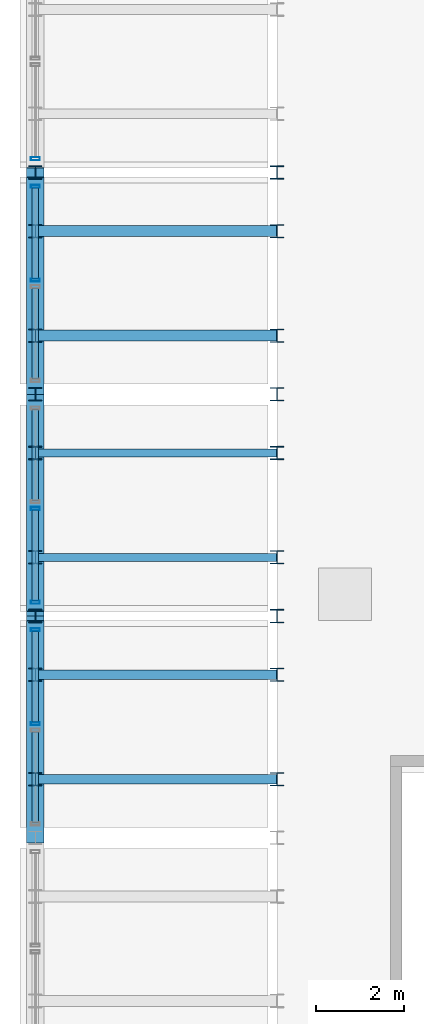
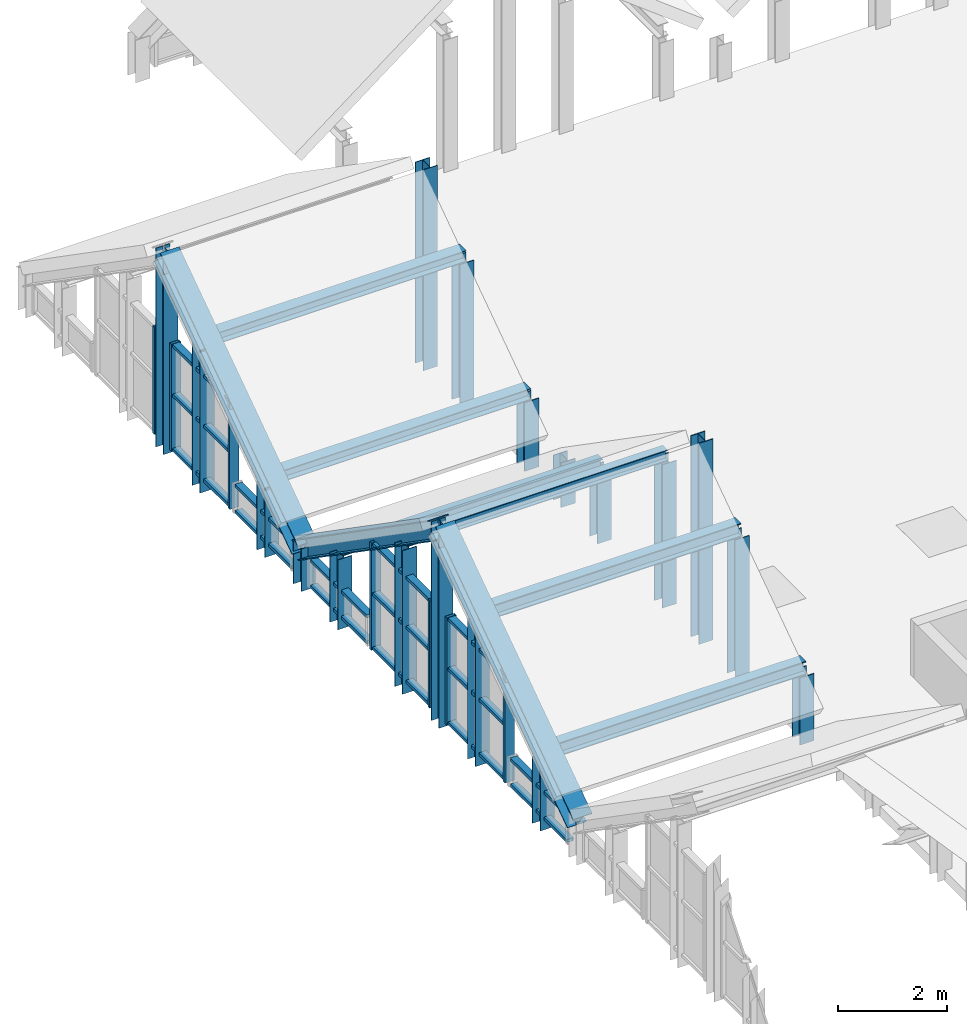
# One storey, part 6 of 21: 49 members, 7 elements without a shape of their own.
"""IFC4 building model written with IfcOpenShell, lengths in metres."""

import ifcopenshell
import ifcopenshell.guid

model = None  # the IFC model being written
_history = None  # IfcOwnerHistory: only IFC2X3 demands one
_inside = {}  # id of a spatial element -> (the spatial element, [elements in it])
_under = {}  # id of a project, library or spatial element -> (it, [spatial elements below it])
_declared = {}  # id of a project -> (the project, [libraries it declares])
_typed = {}  # id of a type object -> (the type object, [elements of that type])
_made_of = {}  # id of a material, layer set ... -> (it, [elements and type objects made of it])


def new_model(schema):
    """Start an empty IFC model of exactly this schema.

    Asked for "IFC4X3", IfcOpenShell would pick the latest addendum, in which some entities
    have other attributes; the version numbers below select the first issue.
    IFC2X3 requires an IfcOwnerHistory on every rooted entity: one is made here for all.
    """
    global model, _history
    if schema == "IFC4X3":
        model = ifcopenshell.file(schema_version=(4, 3, 0, 0))
    else:
        model = ifcopenshell.file(schema=schema)
    _inside.clear()
    _under.clear()
    _declared.clear()
    _typed.clear()
    _made_of.clear()
    _history = None
    if model.schema == "IFC2X3":
        org = make("IfcOrganization", Name="unknown")
        user = make(
            "IfcPersonAndOrganization",
            ThePerson=make("IfcPerson", FamilyName="unknown"),
            TheOrganization=org,
        )
        app = make(
            "IfcApplication",
            ApplicationDeveloper=org,
            Version="unknown",
            ApplicationFullName="unknown",
            ApplicationIdentifier="unknown",
        )
        _history = make(
            "IfcOwnerHistory",
            OwningUser=user,
            OwningApplication=app,
            ChangeAction="ADDED",
            CreationDate=0,
        )
    return model


def make(cls, **values):
    """One entity of the class cls with the attributes given. An attribute that is None is left unset."""
    return model.create_entity(
        cls, **{name: value for name, value in values.items() if value is not None}
    )


def rooted(cls, **values):
    """An entity with a GlobalId (a new one), such as an element, a storey or a relation."""
    return make(cls, GlobalId=ifcopenshell.guid.new(), OwnerHistory=_history, **values)


def si_unit(unit_type, name, prefix=None):
    """IfcSIUnit, for example si_unit("LENGTHUNIT", "METRE", prefix="MILLI")."""
    return make("IfcSIUnit", UnitType=unit_type, Prefix=prefix, Name=name)


def assignment(units):
    """IfcUnitAssignment: the units of a project."""
    return None if units is None else make("IfcUnitAssignment", Units=units)


def point(xyz):
    """IfcCartesianPoint."""
    return None if xyz is None else make("IfcCartesianPoint", Coordinates=xyz)


def direction(xyz):
    """IfcDirection."""
    return None if xyz is None else make("IfcDirection", DirectionRatios=xyz)


def frame(location, z_axis=None, x_axis=None):
    """IfcAxis2Placement3D, a coordinate frame: its origin and axes. An axis left out is left unset."""
    return make(
        "IfcAxis2Placement3D",
        Location=point(location),
        Axis=direction(z_axis),
        RefDirection=direction(x_axis),
    )


def frame_2d(location, x_axis=None):
    """IfcAxis2Placement2D, a coordinate frame in the plane: its origin and x axis."""
    return make(
        "IfcAxis2Placement2D", Location=point(location), RefDirection=direction(x_axis)
    )


def origin():
    """The frame at (0, 0, 0) with its axes left unset."""
    return frame((0.0, 0.0, 0.0))


def origin_2d():
    """The frame at (0, 0) in the plane with its x axis left unset."""
    return frame_2d((0.0, 0.0))


def place(relative_to, where):
    """IfcLocalPlacement: puts the frame where relative to a parent placement (None: the world)."""
    return make(
        "IfcLocalPlacement", PlacementRelTo=relative_to, RelativePlacement=where
    )


def context(
    kind, dimensions, precision=None, world=None, true_north=None, identifier=None
):
    """IfcGeometricRepresentationContext, for example the 3D "Model" context."""
    return make(
        "IfcGeometricRepresentationContext",
        ContextIdentifier=identifier,
        ContextType=kind,
        CoordinateSpaceDimension=dimensions,
        Precision=precision,
        WorldCoordinateSystem=world,
        TrueNorth=true_north,
    )


def subcontext(parent, identifier, kind, view, scale=None):
    """IfcGeometricRepresentationSubContext, for example "Body" below "Model"."""
    return make(
        "IfcGeometricRepresentationSubContext",
        ContextIdentifier=identifier,
        ContextType=kind,
        ParentContext=parent,
        TargetScale=scale,
        TargetView=view,
    )


def project(units=None, contexts=None):
    """IfcProject with its units and contexts."""
    return rooted(
        "IfcProject",
        Name="project",
        RepresentationContexts=contexts,
        UnitsInContext=assignment(units),
    )


def spatial(cls, under=None, at=None, **own):
    """A site, building, storey or space (cls), placed at a placement, below another one or the project."""
    s = rooted(cls, ObjectPlacement=at, **own)
    if under is not None:
        _under.setdefault(under.id(), (under, []))[1].append(s)
    return s


def profile(cls, at=None, kind="AREA", **sizes):
    """A parametric profile (cls). Its sizes go by their IFC names, for example OverallWidth=200.0."""
    return make(cls, ProfileType=kind, Position=at, **sizes)


def hollow_rectangle(**sizes):
    """IfcRectangleHollowProfileDef."""
    return profile("IfcRectangleHollowProfileDef", **sizes)


def i_section(**sizes):
    """IfcIShapeProfileDef."""
    return profile("IfcIShapeProfileDef", **sizes)


def extrude(swept, where, along, depth):
    """IfcExtrudedAreaSolid: the profile swept, set in the frame where, extruded along a direction by depth."""
    return make(
        "IfcExtrudedAreaSolid",
        SweptArea=swept,
        Position=where,
        ExtrudedDirection=direction(along),
        Depth=depth,
    )


def shape(context_of_items, identifier, shape_type, items):
    """IfcShapeRepresentation: the items that make up one representation, for example the "Body"."""
    return make(
        "IfcShapeRepresentation",
        ContextOfItems=context_of_items,
        RepresentationIdentifier=identifier,
        RepresentationType=shape_type,
        Items=items,
    )


def source(mapping_origin, context_of_items, identifier, shape_type, items):
    """IfcRepresentationMap: a shape defined once, which mapped items show again and again."""
    return make(
        "IfcRepresentationMap",
        MappingOrigin=mapping_origin,
        MappedRepresentation=shape(context_of_items, identifier, shape_type, items),
    )


def transform(
    local_origin,
    x_axis=None,
    y_axis=None,
    z_axis=None,
    scale=None,
    scale2=None,
    scale3=None,
    uniform=True,
):
    """IfcCartesianTransformationOperator3D, or its non-uniform kind. x_axis, y_axis, z_axis: its Axis1, 2, 3."""
    if uniform:
        return make(
            "IfcCartesianTransformationOperator3D",
            Axis1=direction(x_axis),
            Axis2=direction(y_axis),
            LocalOrigin=point(local_origin),
            Scale=scale,
            Axis3=direction(z_axis),
        )
    return make(
        "IfcCartesianTransformationOperator3DnonUniform",
        Axis1=direction(x_axis),
        Axis2=direction(y_axis),
        LocalOrigin=point(local_origin),
        Scale=scale,
        Axis3=direction(z_axis),
        Scale2=scale2,
        Scale3=scale3,
    )


def mapped(mapping_source, mapping_target):
    """IfcMappedItem: shows the shape of a source again, moved by a transform."""
    return make(
        "IfcMappedItem", MappingSource=mapping_source, MappingTarget=mapping_target
    )


def material(Name=None, Category=None):
    """IfcMaterial."""
    return make("IfcMaterial", Name=Name, Category=Category)


def layer(
    of_material, thickness, ventilated=None, Name=None, Category=None, Priority=None
):
    """IfcMaterialLayer: one layer of a wall or slab, of a material (None: an air gap)."""
    return make(
        "IfcMaterialLayer",
        Material=of_material,
        LayerThickness=thickness,
        IsVentilated=ventilated,
        Name=Name,
        Category=Category,
        Priority=Priority,
    )


def layer_set(layers, Name=None):
    """IfcMaterialLayerSet."""
    return make("IfcMaterialLayerSet", MaterialLayers=layers, LayerSetName=Name)


def material_profile(
    of_material, cross_section, Name=None, Category=None, Priority=None
):
    """IfcMaterialProfile: a cross section and its material."""
    return make(
        "IfcMaterialProfile",
        Name=Name,
        Material=of_material,
        Profile=cross_section,
        Priority=Priority,
        Category=Category,
    )


def profile_set(profiles, Name=None, composite=None):
    """IfcMaterialProfileSet."""
    return make(
        "IfcMaterialProfileSet",
        Name=Name,
        MaterialProfiles=profiles,
        CompositeProfile=composite,
    )


def made_of(thing, what):
    """Note that an element or type object is made of a material, layer set ...; save() writes the relation."""
    if what is not None:
        _made_of.setdefault(what.id(), (what, []))[1].append(thing)
    return thing


def type_object(cls, material=None, **own):
    """A type object (cls), such as IfcWallType, which elements share."""
    return made_of(rooted(cls, **own), material)


def element(
    cls,
    number,
    at=None,
    inside=None,
    cuts=None,
    type_object=None,
    material=None,
    context=None,
    identifier="Body",
    shape_type=None,
    held_by="IfcProductDefinitionShape",
    body=None,
    shapes=None,
    **own,
):
    """One element of the class cls, such as IfcWall. Its Tag is "e" and its number.

    at: its placement. inside: the storey or other place that contains it. cuts: it is an
    opening in that element (IfcRelVoidsElement). A single representation is given by context,
    identifier, shape_type and body (its items); several are given by shapes. held_by: the class
    of the entity that holds the representations. save() writes the other relations.
    """
    e = rooted(cls, Tag="e%d" % number, ObjectPlacement=at, **own)
    if body is not None:
        shapes = [shape(context, identifier, shape_type, body)]
    if shapes is not None:
        e.Representation = make(held_by, Representations=shapes)
    if inside is not None:
        _inside.setdefault(inside.id(), (inside, []))[1].append(e)
    if cuts is not None:
        rooted(
            "IfcRelVoidsElement", RelatingBuildingElement=cuts, RelatedOpeningElement=e
        )
    if type_object is not None:
        _typed.setdefault(type_object.id(), (type_object, []))[1].append(e)
    return made_of(e, material)


def aggregate(whole, parts):
    """IfcRelAggregates: a whole, such as a stair, and the parts it consists of."""
    return rooted("IfcRelAggregates", RelatingObject=whole, RelatedObjects=parts)


def save(model, path):
    """Write the relations noted so far, then the file.

    IfcRelAggregates (storeys below a building ...), IfcRelContainedInSpatialStructure (elements
    in a storey), IfcRelDefinesByType, IfcRelAssociatesMaterial and IfcRelDeclares: one each for
    every whole, place, type object, material and project.
    """
    for whole, parts in _under.values():
        aggregate(whole, parts)
    for where, things in _inside.values():
        rooted(
            "IfcRelContainedInSpatialStructure",
            RelatedElements=things,
            RelatingStructure=where,
        )
    for kind, things in _typed.values():
        rooted("IfcRelDefinesByType", RelatedObjects=things, RelatingType=kind)
    for what, things in _made_of.values():
        rooted("IfcRelAssociatesMaterial", RelatedObjects=things, RelatingMaterial=what)
    for by, libraries in _declared.values():
        rooted("IfcRelDeclares", RelatingContext=by, RelatedDefinitions=libraries)
    model.write(path)


model = new_model("IFC4")

# Units and contexts
model_context = context("Model", 3, precision=1e-05, world=origin(), true_north=direction((0.0, 1.0)))
body_context = subcontext(model_context, "Body", "Model", "MODEL_VIEW")
ifc_project = project(units=[si_unit("LENGTHUNIT", "METRE"), si_unit("AREAUNIT", "SQUARE_METRE"), si_unit("VOLUMEUNIT", "CUBIC_METRE"), si_unit("PLANEANGLEUNIT", "RADIAN"), si_unit("MASSUNIT", "GRAM", prefix="KILO")], contexts=[model_context])

# Site, building, storey
site_placement = place(None, origin())
site = spatial("IfcSite", under=ifc_project, at=site_placement, CompositionType="ELEMENT")
building_placement = place(site_placement, origin())
building = spatial("IfcBuilding", under=site, at=building_placement, Name="Saelheon Loggia Tower", CompositionType="ELEMENT")
storey_placement = place(building_placement, frame((0.0, 0.0, 275.0)))
storey = spatial("IfcBuildingStorey", under=building, at=storey_placement, Name="ROOF", CompositionType="ELEMENT", Elevation=275.0)

# Members
ifc_material_1 = material(Name="Steel SM355", Category="steel")
ifc_material_profile_1 = material_profile(ifc_material_1, i_section(OverallWidth=0.300048828125, OverallDepth=0.300048828125, WebThickness=0.010009765625, FlangeThickness=0.014892578125, at=origin_2d()), Name="H-300x300x10x15")
ifc_profile_set_1 = profile_set([ifc_material_profile_1], Name="Steel SM355")
member_type_1 = type_object("IfcMemberType", Name="WaveCrest_Post_H300", PredefinedType="POST", material=ifc_profile_set_1)
shared_shape_1 = source(origin(), body_context, "Body", "SweptSolid", [
    extrude(i_section(OverallWidth=0.300048828125, OverallDepth=0.300048828125, WebThickness=0.010009765625, FlangeThickness=0.014892578125, at=origin_2d()), origin(), (0.0, 0.0, 1.0), 0.949951171875),
])
member_1_placement = place(storey_placement, frame((23.35009765625, 32.050048828125, -0.14990234375), z_axis=(0.0, 0.0, 1.0), x_axis=(1.0, 0.0, 0.0)))
element("IfcMember", 1, at=member_1_placement, inside=storey, type_object=member_type_1, Name="ROOF Wave Crest Outer Post W 04", PredefinedType="POST", context=body_context, shape_type="MappedRepresentation", body=[
    mapped(shared_shape_1, transform((0.0, 0.0, 0.0), scale=1.0)),
])
ifc_material_profile_2 = material_profile(ifc_material_1, i_section(OverallWidth=0.300048828125, OverallDepth=0.300048828125, WebThickness=0.010009765625, FlangeThickness=0.014892578125, at=origin_2d()), Name="H-300x300x10x15")
ifc_profile_set_2 = profile_set([ifc_material_profile_2], Name="Steel SM355")
member_type_2 = type_object("IfcMemberType", Name="Belt_Post_H300", PredefinedType="POST", material=ifc_profile_set_2)
shared_shape_2 = source(origin(), body_context, "Body", "SweptSolid", [
    extrude(i_section(OverallWidth=0.300048828125, OverallDepth=0.300048828125, WebThickness=0.010009765625, FlangeThickness=0.014892578125, at=origin_2d()), origin(), (0.0, 0.0, 1.0), 1.0),
])
member_2_placement = place(storey_placement, frame((28.85009765625, 32.050048828125, -0.199951171875), z_axis=(0.0, 0.0, 1.0), x_axis=(1.0, 0.0, 0.0)))
element("IfcMember", 2, at=member_2_placement, inside=storey, type_object=member_type_2, Name="ROOF Wave Crest Inner Post W 04", PredefinedType="POST", context=body_context, shape_type="MappedRepresentation", body=[
    mapped(shared_shape_2, transform((0.0, 0.0, 0.0), scale=1.0)),
])
shared_shape_3 = source(origin(), body_context, "Body", "SweptSolid", [
    extrude(i_section(OverallWidth=0.300048828125, OverallDepth=0.300048828125, WebThickness=0.010009765625, FlangeThickness=0.014892578125, at=origin_2d()), origin(), (0.0, 0.0, 1.0), 4.449951171875),
])
for number, where, z_axis, x_axis, name in (
    (3, (23.35009765625, 27.0, -0.14990234375), (0.0, 0.0, 1.0), (1.0, 0.0, 0.0), "ROOF Wave Crest Outer Post W 03"),
    (4, (23.35009765625, 37.10009765625, -0.14990234375), (0.0, 0.0, 1.0), (1.0, 0.0, 0.0), "ROOF Wave Crest Outer Post W 05"),
):
    element("IfcMember", number, at=place(storey_placement, frame(where, z_axis=z_axis, x_axis=x_axis)), inside=storey, type_object=member_type_1, Name=name, PredefinedType="POST", context=body_context, shape_type="MappedRepresentation", body=[
        mapped(shared_shape_3, transform((0.0, 0.0, 0.0), scale=1.0)),
    ])
shared_shape_4 = source(origin(), body_context, "Body", "SweptSolid", [
    extrude(i_section(OverallWidth=0.300048828125, OverallDepth=0.300048828125, WebThickness=0.010009765625, FlangeThickness=0.014892578125, at=origin_2d()), origin(), (0.0, 0.0, 1.0), 4.5),
])
for number, where, z_axis, x_axis, name in (
    (5, (28.85009765625, 27.0, -0.199951171875), (0.0, 0.0, 1.0), (1.0, 0.0, 0.0), "ROOF Wave Crest Inner Post W 03"),
    (6, (28.85009765625, 37.10009765625, -0.199951171875), (0.0, 0.0, 1.0), (1.0, 0.0, 0.0), "ROOF Wave Crest Inner Post W 05"),
):
    element("IfcMember", number, at=place(storey_placement, frame(where, z_axis=z_axis, x_axis=x_axis)), inside=storey, type_object=member_type_2, Name=name, PredefinedType="POST", context=body_context, shape_type="MappedRepresentation", body=[
        mapped(shared_shape_4, transform((0.0, 0.0, 0.0), scale=1.0)),
    ])
ifc_material_profile_3 = material_profile(ifc_material_1, i_section(OverallWidth=0.179931640625, OverallDepth=0.25, WebThickness=0.010009765625, FlangeThickness=0.01611328125, at=origin_2d()), Name="H-250x180x10x16")
ifc_profile_set_3 = profile_set([ifc_material_profile_3], Name="Steel SM355")
member_type_3 = type_object("IfcMemberType", Name="Roof_Purlin_RHS250", PredefinedType="PURLIN", material=ifc_profile_set_3)
shared_shape_5 = source(origin(), body_context, "Body", "SweptSolid", [
    extrude(i_section(OverallWidth=0.179931640625, OverallDepth=0.25, WebThickness=0.010009765625, FlangeThickness=0.01611328125, at=origin_2d()), origin(), (0.0, 0.0, 1.0), 5.5),
])
for number, where, z_axis, x_axis, name in (
    (7, (23.35009765625, 28.3369140625, 3.135986328125), (1.0, 0.0, 0.0), (0.0, 1.0, 0.0), "Crown Wave Roof Purlin 04 A"),
    (8, (23.35009765625, 30.713134765625, 1.489013671875), (1.0, 0.0, 0.0), (0.0, 1.0, 0.0), "Crown Wave Roof Purlin 04 B"),
):
    element("IfcMember", number, at=place(storey_placement, frame(where, z_axis=z_axis, x_axis=x_axis)), inside=storey, type_object=member_type_3, Name=name, PredefinedType="PURLIN", context=body_context, shape_type="MappedRepresentation", body=[
        mapped(shared_shape_5, transform((0.0, 0.0, 0.0), scale=1.0)),
    ])
shared_shape_6 = source(origin(), body_context, "Body", "SweptSolid", [
    extrude(i_section(OverallWidth=0.300048828125, OverallDepth=0.300048828125, WebThickness=0.010009765625, FlangeThickness=0.014892578125, at=origin_2d()), origin(), (0.0, 0.0, 1.0), 1.56396484375),
])
for number, where, z_axis, x_axis, name in (
    (9, (23.35009765625, 30.713134765625, -0.199951171875), (0.0, 0.0, 1.0), (1.0, 0.0, 0.0), "Crown Wave Roof Purlin Support Post 04 B O"),
    (10, (28.85009765625, 30.713134765625, -0.199951171875), (0.0, 0.0, 1.0), (1.0, 0.0, 0.0), "Crown Wave Roof Purlin Support Post 04 B I"),
):
    element("IfcMember", number, at=place(storey_placement, frame(where, z_axis=z_axis, x_axis=x_axis)), inside=storey, type_object=member_type_2, Name=name, PredefinedType="POST", context=body_context, shape_type="MappedRepresentation", body=[
        mapped(shared_shape_6, transform((0.0, 0.0, 0.0), scale=1.0)),
    ])
shared_shape_7 = source(origin(), body_context, "Body", "SweptSolid", [
    extrude(i_section(OverallWidth=0.300048828125, OverallDepth=0.300048828125, WebThickness=0.010009765625, FlangeThickness=0.014892578125, at=origin_2d()), origin(), (0.0, 0.0, 1.0), 3.2109375),
])
for number, where, z_axis, x_axis, name in (
    (11, (23.35009765625, 28.3369140625, -0.199951171875), (0.0, 0.0, 1.0), (1.0, 0.0, 0.0), "Crown Wave Roof Purlin Support Post 04 A O"),
    (12, (28.85009765625, 28.3369140625, -0.199951171875), (0.0, 0.0, 1.0), (1.0, 0.0, 0.0), "Crown Wave Roof Purlin Support Post 04 A I"),
):
    element("IfcMember", number, at=place(storey_placement, frame(where, z_axis=z_axis, x_axis=x_axis)), inside=storey, type_object=member_type_2, Name=name, PredefinedType="POST", context=body_context, shape_type="MappedRepresentation", body=[
        mapped(shared_shape_7, transform((0.0, 0.0, 0.0), scale=1.0)),
    ])
ifc_material_profile_4 = material_profile(ifc_material_1, i_section(OverallWidth=0.25, OverallDepth=0.25, WebThickness=0.009033203125, FlangeThickness=0.013916015625, at=origin_2d()), Name="H-250x250x9x14")
ifc_profile_set_4 = profile_set([ifc_material_profile_4], Name="Steel SM355")
member_type_4 = type_object("IfcMemberType", Name="Roof_Purlin_H250", PredefinedType="PURLIN", material=ifc_profile_set_4)
shared_shape_8 = source(origin(), body_context, "Body", "SweptSolid", [
    extrude(i_section(OverallWidth=0.25, OverallDepth=0.25, WebThickness=0.009033203125, FlangeThickness=0.013916015625, at=origin_2d()), origin(), (0.0, 0.0, 1.0), 5.5),
])
for number, where, z_axis, x_axis, name in (
    (13, (23.35009765625, 33.38671875, 1.46484375), (1.0, 0.0, 0.0), (0.0, 1.0, 0.0), "Crown Wave Roof Purlin 05 A"),
    (14, (23.35009765625, 35.76318359375, 3.11181640625), (1.0, 0.0, 0.0), (0.0, 1.0, 0.0), "Crown Wave Roof Purlin 05 B"),
):
    element("IfcMember", number, at=place(storey_placement, frame(where, z_axis=z_axis, x_axis=x_axis)), inside=storey, type_object=member_type_4, Name=name, PredefinedType="PURLIN", context=body_context, shape_type="MappedRepresentation", body=[
        mapped(shared_shape_8, transform((0.0, 0.0, 0.0), scale=1.0)),
    ])
shared_shape_9 = source(origin(), body_context, "Body", "SweptSolid", [
    extrude(i_section(OverallWidth=0.300048828125, OverallDepth=0.300048828125, WebThickness=0.010009765625, FlangeThickness=0.014892578125, at=origin_2d()), origin(), (0.0, 0.0, 1.0), 3.186767578125),
])
for number, where, z_axis, x_axis, name in (
    (15, (23.35009765625, 35.76318359375, -0.199951171875), (0.0, 0.0, 1.0), (1.0, 0.0, 0.0), "Crown Wave Roof Purlin Support Post 05 B O"),
    (16, (28.85009765625, 35.76318359375, -0.199951171875), (0.0, 0.0, 1.0), (1.0, 0.0, 0.0), "Crown Wave Roof Purlin Support Post 05 B I"),
):
    element("IfcMember", number, at=place(storey_placement, frame(where, z_axis=z_axis, x_axis=x_axis)), inside=storey, type_object=member_type_2, Name=name, PredefinedType="POST", context=body_context, shape_type="MappedRepresentation", body=[
        mapped(shared_shape_9, transform((0.0, 0.0, 0.0), scale=1.0)),
    ])
shared_shape_10 = source(origin(), body_context, "Body", "SweptSolid", [
    extrude(i_section(OverallWidth=0.300048828125, OverallDepth=0.300048828125, WebThickness=0.010009765625, FlangeThickness=0.014892578125, at=origin_2d()), origin(), (0.0, 0.0, 1.0), 1.539794921875),
])
for number, where, z_axis, x_axis, name in (
    (17, (23.35009765625, 33.38671875, -0.199951171875), (0.0, 0.0, 1.0), (1.0, 0.0, 0.0), "Crown Wave Roof Purlin Support Post 05 A O"),
    (18, (28.85009765625, 33.38671875, -0.199951171875), (0.0, 0.0, 1.0), (1.0, 0.0, 0.0), "Crown Wave Roof Purlin Support Post 05 A I"),
):
    element("IfcMember", number, at=place(storey_placement, frame(where, z_axis=z_axis, x_axis=x_axis)), inside=storey, type_object=member_type_2, Name=name, PredefinedType="POST", context=body_context, shape_type="MappedRepresentation", body=[
        mapped(shared_shape_10, transform((0.0, 0.0, 0.0), scale=1.0)),
    ])
ifc_material_profile_5 = material_profile(ifc_material_1, i_section(OverallWidth=0.219970703125, OverallDepth=0.300048828125, WebThickness=0.011962890625, FlangeThickness=0.02001953125, at=origin_2d()), Name="H-300x220x12x20")
ifc_profile_set_5 = profile_set([ifc_material_profile_5], Name="Steel SM355")
member_type_5 = type_object("IfcMemberType", Name="Roof_Purlin_RHS300", PredefinedType="PURLIN", material=ifc_profile_set_5)
shared_shape_11 = source(origin(), body_context, "Body", "SweptSolid", [
    extrude(i_section(OverallWidth=0.219970703125, OverallDepth=0.300048828125, WebThickness=0.011962890625, FlangeThickness=0.02001953125, at=origin_2d()), origin(), (0.0, 0.0, 1.0), 5.5),
])
for number, where, z_axis, x_axis, name in (
    (19, (23.35009765625, 23.286865234375, 1.4501953125), (1.0, 0.0, 0.0), (0.0, 1.0, 0.0), "Crown Wave Roof Purlin 03 A"),
    (20, (23.35009765625, 25.6630859375, 3.097412109375), (1.0, 0.0, 0.0), (0.0, 1.0, 0.0), "Crown Wave Roof Purlin 03 B"),
):
    element("IfcMember", number, at=place(storey_placement, frame(where, z_axis=z_axis, x_axis=x_axis)), inside=storey, type_object=member_type_5, Name=name, PredefinedType="PURLIN", context=body_context, shape_type="MappedRepresentation", body=[
        mapped(shared_shape_11, transform((0.0, 0.0, 0.0), scale=1.0)),
    ])
shared_shape_12 = source(origin(), body_context, "Body", "SweptSolid", [
    extrude(i_section(OverallWidth=0.300048828125, OverallDepth=0.300048828125, WebThickness=0.010009765625, FlangeThickness=0.014892578125, at=origin_2d()), origin(), (0.0, 0.0, 1.0), 1.500244140625),
])
for number, where, z_axis, x_axis, name in (
    (21, (23.35009765625, 23.286865234375, -0.199951171875), (0.0, 0.0, 1.0), (1.0, 0.0, 0.0), "Crown Wave Roof Purlin Support Post 03 A O"),
    (22, (28.85009765625, 23.286865234375, -0.199951171875), (0.0, 0.0, 1.0), (1.0, 0.0, 0.0), "Crown Wave Roof Purlin Support Post 03 A I"),
):
    element("IfcMember", number, at=place(storey_placement, frame(where, z_axis=z_axis, x_axis=x_axis)), inside=storey, type_object=member_type_2, Name=name, PredefinedType="POST", context=body_context, shape_type="MappedRepresentation", body=[
        mapped(shared_shape_12, transform((0.0, 0.0, 0.0), scale=1.0)),
    ])
shared_shape_13 = source(origin(), body_context, "Body", "SweptSolid", [
    extrude(i_section(OverallWidth=0.300048828125, OverallDepth=0.300048828125, WebThickness=0.010009765625, FlangeThickness=0.014892578125, at=origin_2d()), origin(), (0.0, 0.0, 1.0), 3.147216796875),
])
for number, where, z_axis, x_axis, name in (
    (23, (23.35009765625, 25.6630859375, -0.199951171875), (0.0, 0.0, 1.0), (1.0, 0.0, 0.0), "Crown Wave Roof Purlin Support Post 03 B O"),
    (24, (28.85009765625, 25.6630859375, -0.199951171875), (0.0, 0.0, 1.0), (1.0, 0.0, 0.0), "Crown Wave Roof Purlin Support Post 03 B I"),
):
    element("IfcMember", number, at=place(storey_placement, frame(where, z_axis=z_axis, x_axis=x_axis)), inside=storey, type_object=member_type_2, Name=name, PredefinedType="POST", context=body_context, shape_type="MappedRepresentation", body=[
        mapped(shared_shape_13, transform((0.0, 0.0, 0.0), scale=1.0)),
    ])
ifc_material_profile_6 = material_profile(ifc_material_1, i_section(OverallWidth=0.39990234375, OverallDepth=0.39990234375, WebThickness=0.012939453125, FlangeThickness=0.02099609375, at=origin_2d()), Name="H-400x400x13x21")
ifc_profile_set_6 = profile_set([ifc_material_profile_6], Name="Steel SM355")
member_type_6 = type_object("IfcMemberType", Name="CrownFrame_Brace_H400", PredefinedType="BRACE", material=ifc_profile_set_6)
shared_shape_14 = source(origin(), body_context, "Body", "SweptSolid", [
    extrude(i_section(OverallWidth=0.39990234375, OverallDepth=0.39990234375, WebThickness=0.012939453125, FlangeThickness=0.02099609375, at=origin_2d()), origin(), (0.0, 0.0, 1.0), 6.144287109375),
])
for number, where, z_axis, x_axis, name in (
    (25, (23.35009765625, 21.949951171875, 0.699951171875), (0.0, 0.821901707203, 0.569629338867), (-1.0, 0.0, 0.0), "ROOF CROWN FRAME Wave Crest Cap W 03"),
    (26, (23.35009765625, 27.0, 4.199951171875), (0.0, 0.821901707203, -0.569629338867), (-1.0, 0.0, 0.0), "ROOF CROWN FRAME Wave Crest Cap W 04"),
    (27, (23.35009765625, 32.050048828125, 0.699951171875), (0.0, 0.821901707203, 0.569629338867), (-1.0, 0.0, 0.0), "ROOF CROWN FRAME Wave Crest Cap W 05"),
):
    element("IfcMember", number, at=place(storey_placement, frame(where, z_axis=z_axis, x_axis=x_axis)), inside=storey, type_object=member_type_6, Name=name, PredefinedType="BRACE", context=body_context, shape_type="MappedRepresentation", body=[
        mapped(shared_shape_14, transform((0.0, 0.0, 0.0), scale=1.0)),
    ])

# Curtain wall, members
ifc_material_2 = material(Name="Bronze-Anodised Aluminium and Fritted Ceramic Screen", Category="aluminium")
ifc_layer = layer(ifc_material_2, 0.219970703125)
ifc_layer_set = layer_set([ifc_layer], Name="Bronze-Anodised Aluminium and Fritted Ceramic Screen")
curtain_wall_type = type_object("IfcCurtainWallType", Name="CW_CrownScreen", PredefinedType="NOTDEFINED", material=ifc_layer_set)
curtain_wall_1_placement = place(storey_placement, origin())
curtain_wall_1 = element("IfcCurtainWall", 28, at=curtain_wall_1_placement, inside=storey, type_object=curtain_wall_type, Name="ROOF Wave Crest Curtain Wall W 03-1", PredefinedType="NOTDEFINED")
ifc_material_3 = material(Name="Bronze-Anodised Aluminium 6063-T6", Category="aluminium")
ifc_material_profile_7 = material_profile(ifc_material_3, hollow_rectangle(XDim=0.070068359375, YDim=0.14990234375, WallThickness=0.0048828125, at=origin_2d()), Name="RHS-150x70x5")
ifc_profile_set_7 = profile_set([ifc_material_profile_7], Name="Bronze-Anodised Aluminium 6063-T6")
member_type_7 = type_object("IfcMemberType", Name="CW_CrownScreen_Transom", PredefinedType="USERDEFINED", material=ifc_profile_set_7)
shared_shape_15 = source(origin(), body_context, "Body", "SweptSolid", [
    extrude(hollow_rectangle(XDim=0.070068359375, YDim=0.14990234375, WallThickness=0.0048828125, at=origin_2d()), origin(), (0.0, 0.0, 1.0), 2.06494140625),
])
member_3_placement = place(storey_placement, frame((23.35009765625, 22.300048828125, 0.054931640625), z_axis=(0.0, 1.0, 0.0), x_axis=(0.0, 0.0, 1.0)))
member_3 = element("IfcMember", 29, at=member_3_placement, type_object=member_type_7, Name="CW6 transom 1.1", ObjectType="TRANSOM", PredefinedType="USERDEFINED", context=body_context, shape_type="MappedRepresentation", body=[
    mapped(shared_shape_15, transform((0.0, 0.0, 0.0), scale=1.0)),
])
member_4_placement = place(storey_placement, frame((23.35009765625, 22.300048828125, 0.635009765625), z_axis=(0.0, 1.0, 0.0), x_axis=(0.0, 0.0, 1.0)))
member_4 = element("IfcMember", 30, at=member_4_placement, type_object=member_type_7, Name="CW6 transom 1.2", ObjectType="TRANSOM", PredefinedType="USERDEFINED", context=body_context, shape_type="MappedRepresentation", body=[
    mapped(shared_shape_15, transform((0.0, 0.0, 0.0), scale=1.0)),
])
aggregate(curtain_wall_1, [member_3, member_4])

curtain_wall_2_placement = place(storey_placement, origin())
curtain_wall_2 = element("IfcCurtainWall", 31, at=curtain_wall_2_placement, inside=storey, type_object=curtain_wall_type, Name="ROOF Wave Crest Curtain Wall W 03-2", PredefinedType="NOTDEFINED")
member_5_placement = place(storey_placement, frame((23.35009765625, 24.5849609375, 0.054931640625), z_axis=(0.0, 1.0, 0.0), x_axis=(0.0, 0.0, 1.0)))
member_5 = element("IfcMember", 32, at=member_5_placement, type_object=member_type_7, Name="CW6 transom 1.1", ObjectType="TRANSOM", PredefinedType="USERDEFINED", context=body_context, shape_type="MappedRepresentation", body=[
    mapped(shared_shape_15, transform((0.0, 0.0, 0.0), scale=1.0)),
])
member_6_placement = place(storey_placement, frame((23.35009765625, 24.5849609375, 1.27001953125), z_axis=(0.0, 1.0, 0.0), x_axis=(0.0, 0.0, 1.0)))
member_6 = element("IfcMember", 33, at=member_6_placement, type_object=member_type_7, Name="CW6 transom 1.2", ObjectType="TRANSOM", PredefinedType="USERDEFINED", context=body_context, shape_type="MappedRepresentation", body=[
    mapped(shared_shape_15, transform((0.0, 0.0, 0.0), scale=1.0)),
])
member_7_placement = place(storey_placement, frame((23.35009765625, 24.5849609375, 2.385009765625), z_axis=(0.0, 1.0, 0.0), x_axis=(0.0, 0.0, 1.0)))
member_7 = element("IfcMember", 34, at=member_7_placement, type_object=member_type_7, Name="CW6 transom 1.3", ObjectType="TRANSOM", PredefinedType="USERDEFINED", context=body_context, shape_type="MappedRepresentation", body=[
    mapped(shared_shape_15, transform((0.0, 0.0, 0.0), scale=1.0)),
])

curtain_wall_3_placement = place(storey_placement, origin())
curtain_wall_3 = element("IfcCurtainWall", 35, at=curtain_wall_3_placement, inside=storey, type_object=curtain_wall_type, Name="ROOF Wave Crest Curtain Wall W 04-1", PredefinedType="NOTDEFINED")
member_8_placement = place(storey_placement, frame((23.35009765625, 27.35009765625, 0.054931640625), z_axis=(0.0, 1.0, 0.0), x_axis=(0.0, 0.0, 1.0)))
member_8 = element("IfcMember", 36, at=member_8_placement, type_object=member_type_7, Name="CW6 transom 1.1", ObjectType="TRANSOM", PredefinedType="USERDEFINED", context=body_context, shape_type="MappedRepresentation", body=[
    mapped(shared_shape_15, transform((0.0, 0.0, 0.0), scale=1.0)),
])
member_9_placement = place(storey_placement, frame((23.35009765625, 27.35009765625, 1.27001953125), z_axis=(0.0, 1.0, 0.0), x_axis=(0.0, 0.0, 1.0)))
member_9 = element("IfcMember", 37, at=member_9_placement, type_object=member_type_7, Name="CW6 transom 1.2", ObjectType="TRANSOM", PredefinedType="USERDEFINED", context=body_context, shape_type="MappedRepresentation", body=[
    mapped(shared_shape_15, transform((0.0, 0.0, 0.0), scale=1.0)),
])
member_10_placement = place(storey_placement, frame((23.35009765625, 27.35009765625, 2.385009765625), z_axis=(0.0, 1.0, 0.0), x_axis=(0.0, 0.0, 1.0)))
member_10 = element("IfcMember", 38, at=member_10_placement, type_object=member_type_7, Name="CW6 transom 1.3", ObjectType="TRANSOM", PredefinedType="USERDEFINED", context=body_context, shape_type="MappedRepresentation", body=[
    mapped(shared_shape_15, transform((0.0, 0.0, 0.0), scale=1.0)),
])

curtain_wall_4_placement = place(storey_placement, origin())
curtain_wall_4 = element("IfcCurtainWall", 39, at=curtain_wall_4_placement, inside=storey, type_object=curtain_wall_type, Name="ROOF Wave Crest Curtain Wall W 04-2", PredefinedType="NOTDEFINED")
member_11_placement = place(storey_placement, frame((23.35009765625, 29.635009765625, 0.054931640625), z_axis=(0.0, 1.0, 0.0), x_axis=(0.0, 0.0, 1.0)))
member_11 = element("IfcMember", 40, at=member_11_placement, type_object=member_type_7, Name="CW6 transom 1.1", ObjectType="TRANSOM", PredefinedType="USERDEFINED", context=body_context, shape_type="MappedRepresentation", body=[
    mapped(shared_shape_15, transform((0.0, 0.0, 0.0), scale=1.0)),
])
member_12_placement = place(storey_placement, frame((23.35009765625, 29.635009765625, 0.635009765625), z_axis=(0.0, 1.0, 0.0), x_axis=(0.0, 0.0, 1.0)))
member_12 = element("IfcMember", 41, at=member_12_placement, type_object=member_type_7, Name="CW6 transom 1.2", ObjectType="TRANSOM", PredefinedType="USERDEFINED", context=body_context, shape_type="MappedRepresentation", body=[
    mapped(shared_shape_15, transform((0.0, 0.0, 0.0), scale=1.0)),
])
aggregate(curtain_wall_4, [member_11, member_12])

curtain_wall_5_placement = place(storey_placement, origin())
curtain_wall_5 = element("IfcCurtainWall", 42, at=curtain_wall_5_placement, inside=storey, type_object=curtain_wall_type, Name="ROOF Wave Crest Curtain Wall W 05-2", PredefinedType="NOTDEFINED")
member_13_placement = place(storey_placement, frame((23.35009765625, 34.68505859375, 0.054931640625), z_axis=(0.0, 1.0, 0.0), x_axis=(0.0, 0.0, 1.0)))
member_13 = element("IfcMember", 43, at=member_13_placement, type_object=member_type_7, Name="CW6 transom 1.1", ObjectType="TRANSOM", PredefinedType="USERDEFINED", context=body_context, shape_type="MappedRepresentation", body=[
    mapped(shared_shape_15, transform((0.0, 0.0, 0.0), scale=1.0)),
])
member_14_placement = place(storey_placement, frame((23.35009765625, 34.68505859375, 1.27001953125), z_axis=(0.0, 1.0, 0.0), x_axis=(0.0, 0.0, 1.0)))
member_14 = element("IfcMember", 44, at=member_14_placement, type_object=member_type_7, Name="CW6 transom 1.2", ObjectType="TRANSOM", PredefinedType="USERDEFINED", context=body_context, shape_type="MappedRepresentation", body=[
    mapped(shared_shape_15, transform((0.0, 0.0, 0.0), scale=1.0)),
])
member_15_placement = place(storey_placement, frame((23.35009765625, 34.68505859375, 2.385009765625), z_axis=(0.0, 1.0, 0.0), x_axis=(0.0, 0.0, 1.0)))
member_15 = element("IfcMember", 45, at=member_15_placement, type_object=member_type_7, Name="CW6 transom 1.3", ObjectType="TRANSOM", PredefinedType="USERDEFINED", context=body_context, shape_type="MappedRepresentation", body=[
    mapped(shared_shape_15, transform((0.0, 0.0, 0.0), scale=1.0)),
])

# Member
ifc_material_profile_8 = material_profile(ifc_material_3, hollow_rectangle(XDim=0.070068359375, YDim=0.199951171875, WallThickness=0.0048828125, at=origin_2d()), Name="RHS-200x70x5")
ifc_profile_set_8 = profile_set([ifc_material_profile_8], Name="Bronze-Anodised Aluminium 6063-T6")
member_type_8 = type_object("IfcMemberType", Name="CW_CrownScreen_Mullion", PredefinedType="MULLION", material=ifc_profile_set_8)
shared_shape_16 = source(origin(), body_context, "Body", "SweptSolid", [
    extrude(hollow_rectangle(XDim=0.070068359375, YDim=0.199951171875, WallThickness=0.0048828125, at=origin_2d()), origin(), (0.0, 0.0, 1.0), 2.39990234375),
])
member_16_placement = place(storey_placement, frame((23.35009765625, 24.550048828125, 0.02001953125), z_axis=(0.0, 0.0, 1.0), x_axis=(0.0, 1.0, 0.0)))
member_16 = element("IfcMember", 46, at=member_16_placement, type_object=member_type_8, Name="CW6 mullion 1", PredefinedType="MULLION", context=body_context, shape_type="MappedRepresentation", body=[
    mapped(shared_shape_16, transform((0.0, 0.0, 0.0), scale=1.0)),
])

member_17_placement = place(storey_placement, frame((23.35009765625, 26.68505859375, 0.02001953125), z_axis=(0.0, 0.0, 1.0), x_axis=(0.0, 1.0, 0.0)))
member_17 = element("IfcMember", 47, at=member_17_placement, type_object=member_type_8, Name="CW6 mullion 2", PredefinedType="MULLION", context=body_context, shape_type="MappedRepresentation", body=[
    mapped(shared_shape_16, transform((0.0, 0.0, 0.0), scale=1.0)),
])

aggregate(curtain_wall_2, [member_16, member_17, member_5, member_6, member_7])

member_18_placement = place(storey_placement, frame((23.35009765625, 27.31494140625, 0.02001953125), z_axis=(0.0, 0.0, 1.0), x_axis=(0.0, 1.0, 0.0)))
member_18 = element("IfcMember", 48, at=member_18_placement, type_object=member_type_8, Name="CW6 mullion 1", PredefinedType="MULLION", context=body_context, shape_type="MappedRepresentation", body=[
    mapped(shared_shape_16, transform((0.0, 0.0, 0.0), scale=1.0)),
])

member_19_placement = place(storey_placement, frame((23.35009765625, 29.449951171875, 0.02001953125), z_axis=(0.0, 0.0, 1.0), x_axis=(0.0, 1.0, 0.0)))
member_19 = element("IfcMember", 49, at=member_19_placement, type_object=member_type_8, Name="CW6 mullion 2", PredefinedType="MULLION", context=body_context, shape_type="MappedRepresentation", body=[
    mapped(shared_shape_16, transform((0.0, 0.0, 0.0), scale=1.0)),
])

aggregate(curtain_wall_3, [member_18, member_19, member_8, member_9, member_10])

member_20_placement = place(storey_placement, frame((23.35009765625, 34.64990234375, 0.02001953125), z_axis=(0.0, 0.0, 1.0), x_axis=(0.0, 1.0, 0.0)))
member_20 = element("IfcMember", 50, at=member_20_placement, type_object=member_type_8, Name="CW6 mullion 1", PredefinedType="MULLION", context=body_context, shape_type="MappedRepresentation", body=[
    mapped(shared_shape_16, transform((0.0, 0.0, 0.0), scale=1.0)),
])

member_21_placement = place(storey_placement, frame((23.35009765625, 36.784912109375, 0.02001953125), z_axis=(0.0, 0.0, 1.0), x_axis=(0.0, 1.0, 0.0)))
member_21 = element("IfcMember", 51, at=member_21_placement, type_object=member_type_8, Name="CW6 mullion 2", PredefinedType="MULLION", context=body_context, shape_type="MappedRepresentation", body=[
    mapped(shared_shape_16, transform((0.0, 0.0, 0.0), scale=1.0)),
])

aggregate(curtain_wall_5, [member_20, member_21, member_13, member_14, member_15])

# Curtain wall, member
curtain_wall_6_placement = place(storey_placement, origin())
curtain_wall_6 = element("IfcCurtainWall", 52, at=curtain_wall_6_placement, inside=storey, type_object=curtain_wall_type, Name="ROOF Wave Crest Curtain Wall W 06-1", PredefinedType="NOTDEFINED")
member_22_placement = place(storey_placement, frame((23.35009765625, 37.4150390625, 0.02001953125), z_axis=(0.0, 0.0, 1.0), x_axis=(0.0, 1.0, 0.0)))
member_22 = element("IfcMember", 53, at=member_22_placement, type_object=member_type_8, Name="CW6 mullion 1", PredefinedType="MULLION", context=body_context, shape_type="MappedRepresentation", body=[
    mapped(shared_shape_16, transform((0.0, 0.0, 0.0), scale=1.0)),
])
aggregate(curtain_wall_6, [member_22])

# Curtain wall, members
curtain_wall_7_placement = place(storey_placement, origin())
curtain_wall_7 = element("IfcCurtainWall", 54, at=curtain_wall_7_placement, inside=storey, type_object=curtain_wall_type, Name="ROOF Wave Crest Curtain Wall W 05-1", PredefinedType="NOTDEFINED")
shared_shape_17 = source(origin(), body_context, "Body", "SweptSolid", [
    extrude(hollow_rectangle(XDim=0.070068359375, YDim=0.14990234375, WallThickness=0.0048828125, at=origin_2d()), origin(), (0.0, 0.0, 1.0), 2.065185546875),
])
member_23_placement = place(storey_placement, frame((23.35009765625, 32.39990234375, 0.054931640625), z_axis=(0.0, 1.0, 0.0), x_axis=(0.0, 0.0, 1.0)))
member_23 = element("IfcMember", 55, at=member_23_placement, type_object=member_type_7, Name="CW6 transom 1.1", ObjectType="TRANSOM", PredefinedType="USERDEFINED", context=body_context, shape_type="MappedRepresentation", body=[
    mapped(shared_shape_17, transform((0.0, 0.0, 0.0), scale=1.0)),
])
member_24_placement = place(storey_placement, frame((23.35009765625, 32.39990234375, 0.635009765625), z_axis=(0.0, 1.0, 0.0), x_axis=(0.0, 0.0, 1.0)))
member_24 = element("IfcMember", 56, at=member_24_placement, type_object=member_type_7, Name="CW6 transom 1.2", ObjectType="TRANSOM", PredefinedType="USERDEFINED", context=body_context, shape_type="MappedRepresentation", body=[
    mapped(shared_shape_17, transform((0.0, 0.0, 0.0), scale=1.0)),
])
aggregate(curtain_wall_7, [member_23, member_24])

save(model, "model.ifc")
